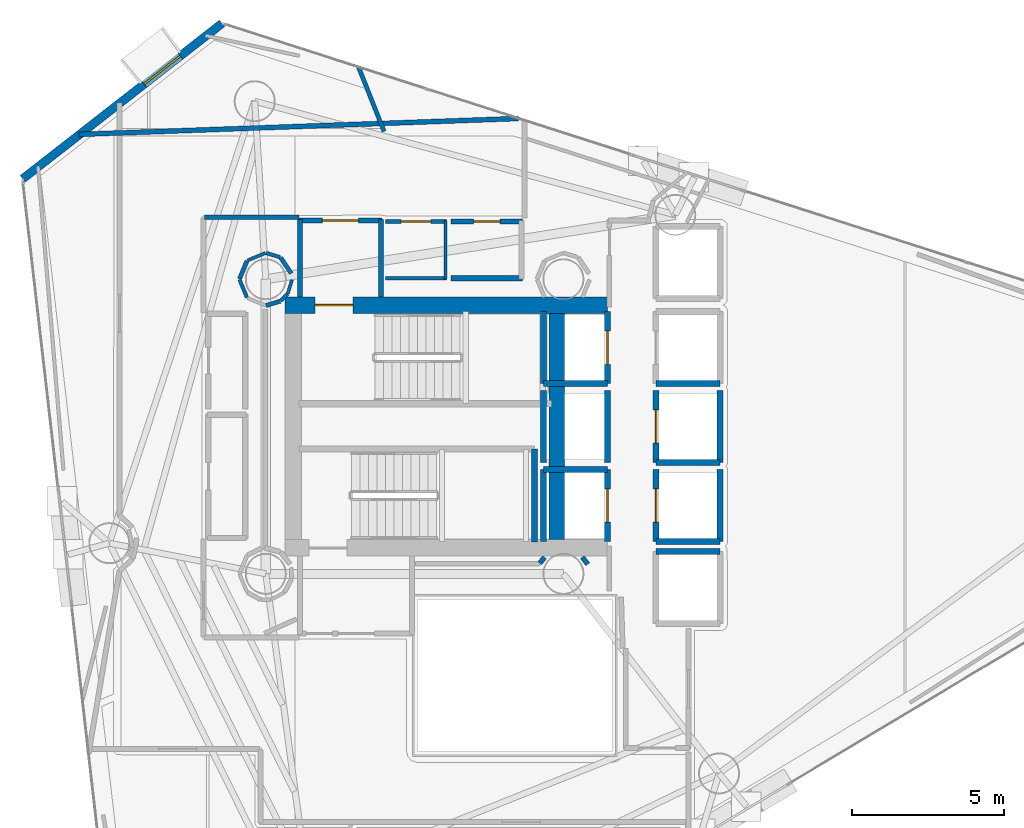
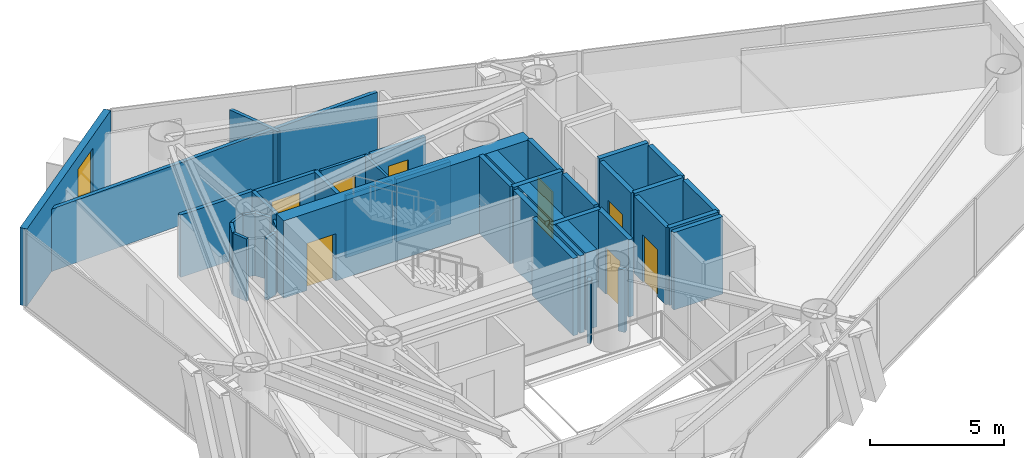
# One storey, part 19 of 22: 41 walls, 8 doors, 1 window, 9 openings.
"""IFC4 building model written with IfcOpenShell, lengths in metres."""

from ifc_helpers import new_model, si_unit, direction, frame, frame_2d, origin, place, context, subcontext, project, spatial, rectangle, extrude, material, layer, layer_set, type_object, element, fill, save


model = new_model("IFC4")

# Units and contexts
model_context = context("Model", 3, precision=1e-05, world=origin(), true_north=direction((0.0, 1.0)))
body_context = subcontext(model_context, "Body", "Model", "MODEL_VIEW")
ifc_project = project(units=[si_unit("LENGTHUNIT", "METRE"), si_unit("AREAUNIT", "SQUARE_METRE"), si_unit("VOLUMEUNIT", "CUBIC_METRE"), si_unit("PLANEANGLEUNIT", "RADIAN"), si_unit("MASSUNIT", "GRAM", prefix="KILO")], contexts=[model_context])

# Site, building, storey
site_placement = place(None, origin())
site = spatial("IfcSite", under=ifc_project, at=site_placement, CompositionType="ELEMENT")
building_placement = place(site_placement, origin())
building = spatial("IfcBuilding", under=site, at=building_placement, Name="Qianvela Tower", CompositionType="ELEMENT")
storey_placement = place(building_placement, frame((0.0, 0.0, 173.5)))
storey = spatial("IfcBuildingStorey", under=building, at=storey_placement, Name="L44", CompositionType="ELEMENT", Elevation=173.5)

# Wall, opening, window
ifc_material_1 = material(Name="Terracotta Cladding on Concrete C40", Category="masonry")
ifc_layer_1 = layer(ifc_material_1, 0.280029296875)
ifc_layer_set_1 = layer_set([ifc_layer_1], Name="Terracotta Cladding on Concrete C40")
wall_type_1 = type_object("IfcWallType", Name="TERRACOTTA-WALL-280", PredefinedType="SOLIDWALL", material=ifc_layer_set_1)
wall_1_placement = place(storey_placement, frame((27.159423828125, 41.9755859375, 0.0), z_axis=(0.0, 0.0, 1.0), x_axis=(-0.788589036207, -0.614920589974, 0.0)))
wall_1 = element("IfcWall", 1, at=wall_1_placement, inside=storey, type_object=wall_type_1, Name="L44 Terracotta Chamfer Facet Wall 3", PredefinedType="SOLIDWALL", context=body_context, shape_type="SweptSolid", body=[
    extrude(rectangle(XDim=8.326416015625, YDim=0.280029296875, at=frame_2d((4.1630859375, 0.0))), origin(), (0.0, 0.0, 1.0), 3.52001953125),
])
opening_1_placement = place(wall_1_placement, frame((1.748046875, 0.0, 0.85009765625)))
opening_1 = element("IfcOpeningElement", 2, at=opening_1_placement, cuts=wall_1, Name="Opening W-02", PredefinedType="OPENING", context=body_context, shape_type="SweptSolid", body=[
    extrude(rectangle(XDim=1.5, YDim=2.10009765625, at=frame_2d((0.75, 1.050048828125))), frame((0.0, 0.14990234375, 0.0), z_axis=(0.0, -1.0, 0.0), x_axis=(1.0, 0.0, 0.0)), (0.0, 0.0, 1.0), 0.300048828125),
])
ifc_material_2 = material(Name="Thermally Broken Aluminium and Low-E Glass", Category="aluminium")
window_type = type_object("IfcWindowType", Name="WIN-TC-1500x2100", PartitioningType="DOUBLE_PANEL_VERTICAL", PredefinedType="WINDOW", material=ifc_material_2)
window_placement = place(opening_1_placement, origin())
window = element("IfcWindow", 3, at=window_placement, inside=storey, type_object=window_type, Name="L44 Chamfer Facet Window 3.1", OverallHeight=2.10009765625, OverallWidth=1.5, PartitioningType="SINGLE_PANEL", PredefinedType="WINDOW", context=body_context, shape_type="SweptSolid", body=[
    extrude(rectangle(XDim=1.5, YDim=2.10009765625, at=frame_2d((0.75, 1.050048828125))), frame((0.0, 0.030029296875, 0.0), z_axis=(0.0, -1.0, 0.0), x_axis=(1.0, 0.0, 0.0)), (0.0, 0.0, 1.0), 0.06005859375),
])
fill(opening_1, window)

# Wall, opening, door
ifc_material_3 = material(Name="Concrete C60", Category="concrete")
ifc_layer_2 = layer(ifc_material_3, 0.550048828125)
ifc_layer_set_2 = layer_set([ifc_layer_2], Name="Concrete C60")
wall_type_2 = type_object("IfcWallType", Name="WT-CORE-550", PredefinedType="SHEAR", material=ifc_layer_set_2)
wall_2_placement = place(storey_placement, frame((29.22998046875, 32.695068359375, 0.0), z_axis=(0.0, 0.0, 1.0), x_axis=(1.0, 0.0, 0.0)))
wall_2 = element("IfcWall", 4, at=wall_2_placement, inside=storey, type_object=wall_type_2, Name="L44 North Core Shear Wall", PredefinedType="SHEAR", context=body_context, shape_type="SweptSolid", body=[
    extrude(rectangle(XDim=10.6201171875, YDim=0.550048828125, at=frame_2d((5.31005859375, 0.0))), origin(), (0.0, 0.0, 1.0), 3.52001953125),
])
opening_2_placement = place(wall_2_placement, frame((0.9951171875, 0.0, 0.0)))
opening_2 = element("IfcOpeningElement", 5, at=opening_2_placement, cuts=wall_2, Name="Opening D-ST1", PredefinedType="OPENING", context=body_context, shape_type="SweptSolid", body=[
    extrude(rectangle(XDim=1.25, YDim=2.14990234375, at=frame_2d((0.625, 1.074951171875))), frame((0.0, 0.284912109375, 0.0), z_axis=(0.0, -1.0, 0.0), x_axis=(1.0, 0.0, 0.0)), (0.0, 0.0, 1.0), 0.570068359375),
])
ifc_material_4 = material(Name="Galvanised Fire Steel Q355B", Category="steel")
door_type_1 = type_object("IfcDoorType", Name="DT-STAIR-FD90", OperationType="NOTDEFINED", PredefinedType="DOOR", material=ifc_material_4)
door_1_placement = place(opening_2_placement, origin())
door_1 = element("IfcDoor", 6, at=door_1_placement, inside=storey, type_object=door_type_1, Name="L44 Stair ST-1 Exit Door", OperationType="SINGLE_SWING_RIGHT", OverallHeight=2.14990234375, OverallWidth=1.25, PredefinedType="DOOR", context=body_context, shape_type="SweptSolid", body=[
    extrude(rectangle(XDim=1.25, YDim=2.14990234375, at=frame_2d((0.625, 1.074951171875))), frame((0.0, 0.02490234375, 0.0), z_axis=(0.0, -1.0, 0.0), x_axis=(1.0, 0.0, 0.0)), (0.0, 0.0, 1.0), 0.050048828125),
])
fill(opening_2, door_1)

# Walls
wall_3_placement = place(storey_placement, frame((38.179931640625, 24.97998046875, 0.0), z_axis=(0.0, 0.0, 1.0), x_axis=(0.0, 1.0, 0.0)))
element("IfcWall", 7, at=wall_3_placement, inside=storey, type_object=wall_type_2, Name="L44 East Spine Core Shear Wall", PredefinedType="SHEAR", context=body_context, shape_type="SweptSolid", body=[
    extrude(rectangle(XDim=7.43994140625, YDim=0.5, at=frame_2d((3.719970703125, 0.0))), origin(), (0.0, 0.0, 1.0), 3.52001953125),
])
ifc_material_5 = material(Name="Fire-Rated Gypsum and Concrete Block", Category="concrete")
ifc_layer_3 = layer(ifc_material_5, 0.159912109375)
ifc_layer_set_3 = layer_set([ifc_layer_3], Name="Fire-Rated Gypsum and Concrete Block")
wall_type_3 = type_object("IfcWallType", Name="WT-CORR-160", PredefinedType="PARTITIONING", material=ifc_layer_set_3)
wall_4_placement = place(storey_placement, frame((29.73095703125, 32.9580078125, 0.0), z_axis=(0.0, 0.0, 1.0), x_axis=(0.0, 1.0, 0.0)))
element("IfcWall", 8, at=wall_4_placement, inside=storey, type_object=wall_type_3, Name="L44 Partition 2", PredefinedType="PARTITIONING", context=body_context, shape_type="SweptSolid", body=[
    extrude(rectangle(XDim=2.56201171875, YDim=0.159912109375, at=frame_2d((1.281005859375, 0.0))), origin(), (0.0, 0.0, 1.0), 2.840087890625),
])

# Wall, opening, door
wall_5_placement = place(storey_placement, frame((29.699951171875, 35.489013671875, 0.0), z_axis=(0.0, 0.0, 1.0), x_axis=(1.0, 0.0, 0.0)))
wall_5 = element("IfcWall", 9, at=wall_5_placement, inside=storey, type_object=wall_type_3, Name="L44 Partition 3", PredefinedType="PARTITIONING", context=body_context, shape_type="SweptSolid", body=[
    extrude(rectangle(XDim=2.719970703125, YDim=0.159912109375, at=frame_2d((1.35986328125, 0.0))), origin(), (0.0, 0.0, 1.0), 2.840087890625),
])
opening_3_placement = place(wall_5_placement, frame((0.760009765625, 0.0, 0.0)))
opening_3 = element("IfcOpeningElement", 10, at=opening_3_placement, cuts=wall_5, Name="Opening D-LB1", PredefinedType="OPENING", context=body_context, shape_type="SweptSolid", body=[
    extrude(rectangle(XDim=1.199951171875, YDim=2.14990234375, at=frame_2d((0.60009765625, 1.074951171875))), frame((0.0, 0.08984375, 0.0), z_axis=(0.0, -1.0, 0.0), x_axis=(1.0, 0.0, 0.0)), (0.0, 0.0, 1.0), 0.179931640625),
])
ifc_material_6 = material(Name="Glazed Fire-Rated Steel Frame", Category="steel")
door_type_2 = type_object("IfcDoorType", Name="DT-LOBBY-FD90", OperationType="NOTDEFINED", PredefinedType="DOOR", material=ifc_material_6)
door_2_placement = place(opening_3_placement, origin())
door_2 = element("IfcDoor", 11, at=door_2_placement, inside=storey, type_object=door_type_2, Name="L44 Door L44 Firefighting Lobby North to L44 Floor Corridor", OperationType="SINGLE_SWING_RIGHT", OverallHeight=2.14990234375, OverallWidth=1.199951171875, PredefinedType="DOOR", context=body_context, shape_type="SweptSolid", body=[
    extrude(rectangle(XDim=1.199951171875, YDim=2.14990234375, at=frame_2d((0.60009765625, 1.074951171875))), frame((0.0, 0.02490234375, 0.0), z_axis=(0.0, -1.0, 0.0), x_axis=(1.0, 0.0, 0.0)), (0.0, 0.0, 1.0), 0.050048828125),
])
fill(opening_3, door_2)

# Walls
wall_6_placement = place(storey_placement, frame((32.388916015625, 35.52001953125, 0.0), z_axis=(0.0, 0.0, 1.0), x_axis=(0.0, -1.0, 0.0)))
element("IfcWall", 12, at=wall_6_placement, inside=storey, type_object=wall_type_3, Name="L44 Partition 4", PredefinedType="PARTITIONING", context=body_context, shape_type="SweptSolid", body=[
    extrude(rectangle(XDim=2.56201171875, YDim=0.159912109375, at=frame_2d((1.281005859375, 0.0))), origin(), (0.0, 0.0, 1.0), 2.840087890625),
])
wall_7_placement = place(storey_placement, frame((39.20166015625, 24.169189453125, 0.0), z_axis=(0.0, 0.0, 1.0), x_axis=(-0.621699046284, 0.783256213413, 0.0)))
element("IfcWall", 13, at=wall_7_placement, inside=storey, type_object=wall_type_3, Name="L44 Partition 47", PredefinedType="PARTITIONING", context=body_context, shape_type="SweptSolid", body=[
    extrude(rectangle(XDim=0.28857421875, YDim=0.159912109375, at=frame_2d((0.144287109375, 0.0))), origin(), (0.0, 0.0, 1.0), 2.840087890625),
])
wall_8_placement = place(storey_placement, frame((37.77783203125, 24.395263671875, 0.0), z_axis=(0.0, 0.0, 1.0), x_axis=(-0.621829236437, -0.783152859097, 0.0)))
element("IfcWall", 14, at=wall_8_placement, inside=storey, type_object=wall_type_3, Name="L44 Partition 50", PredefinedType="PARTITIONING", context=body_context, shape_type="SweptSolid", body=[
    extrude(rectangle(XDim=0.249755859375, YDim=0.159912109375, at=frame_2d((0.125, 0.0))), origin(), (0.0, 0.0, 1.0), 2.840087890625),
])
wall_9_placement = place(storey_placement, frame((22.449951171875, 38.319091796875, 0.0), z_axis=(0.0, 0.0, 1.0), x_axis=(0.999347255434, 0.036125656496, 0.0)))
element("IfcWall", 15, at=wall_9_placement, inside=storey, type_object=wall_type_3, Name="L44 Partition 54", PredefinedType="PARTITIONING", context=body_context, shape_type="SweptSolid", body=[
    extrude(rectangle(XDim=14.482666015625, YDim=0.159912109375, at=frame_2d((7.2412109375, 0.0))), origin(), (0.0, 0.0, 1.0), 2.840087890625),
])
wall_10_placement = place(storey_placement, frame((29.699951171875, 35.591064453125, 0.0), z_axis=(0.0, 0.0, 1.0), x_axis=(-1.0, 0.0, 0.0)))
element("IfcWall", 16, at=wall_10_placement, inside=storey, type_object=wall_type_3, Name="L44 Partition 56 seg 4", PredefinedType="PARTITIONING", context=body_context, shape_type="SweptSolid", body=[
    extrude(rectangle(XDim=3.119873046875, YDim=0.159912109375, at=frame_2d((1.56005859375, 0.0))), origin(), (0.0, 0.0, 1.0), 2.840087890625),
])
ifc_material_7 = material(Name="Lightweight Gypsum Room Partition")
ifc_layer_4 = layer(ifc_material_7, 0.10498046875)
ifc_layer_set_4 = layer_set([ifc_layer_4], Name="Lightweight Gypsum Room Partition")
wall_type_4 = type_object("IfcWallType", Name="WT-PART-105", PredefinedType="PARTITIONING", material=ifc_layer_set_4)
wall_11_placement = place(storey_placement, frame((34.550048828125, 33.5810546875, 0.0), z_axis=(0.0, 0.0, 1.0), x_axis=(-1.0, 0.0, 0.0)))
element("IfcWall", 17, at=wall_11_placement, inside=storey, type_object=wall_type_4, Name="L44 Partition 20", PredefinedType="PARTITIONING", context=body_context, shape_type="SweptSolid", body=[
    extrude(rectangle(XDim=2.0, YDim=0.10498046875, at=frame_2d((1.0, 0.0))), origin(), (0.0, 0.0, 1.0), 2.840087890625),
])
wall_12_placement = place(storey_placement, frame((34.51904296875, 35.47998046875, 0.0), z_axis=(0.0, 0.0, 1.0), x_axis=(0.0, -1.0, 0.0)))
element("IfcWall", 18, at=wall_12_placement, inside=storey, type_object=wall_type_4, Name="L44 Partition 23", PredefinedType="PARTITIONING", context=body_context, shape_type="SweptSolid", body=[
    extrude(rectangle(XDim=1.929931640625, YDim=0.10498046875, at=frame_2d((0.96484375, 0.0))), origin(), (0.0, 0.0, 1.0), 2.840087890625),
])
wall_13_placement = place(storey_placement, frame((28.588134765625, 34.41357421875, 0.0), z_axis=(0.0, 0.0, 1.0), x_axis=(-0.923956302996, -0.382498039412, 0.0)))
element("IfcWall", 19, at=wall_13_placement, inside=storey, type_object=wall_type_4, Name="L44 Partition 140", PredefinedType="PARTITIONING", context=body_context, shape_type="SweptSolid", body=[
    extrude(rectangle(XDim=0.638916015625, YDim=0.10498046875, at=frame_2d((0.3193359375, 0.0))), origin(), (0.0, 0.0, 1.0), 2.840087890625),
])
wall_14_placement = place(storey_placement, frame((29.323974609375, 33.076904296875, 0.0), z_axis=(0.0, 0.0, 1.0), x_axis=(0.292866596221, 0.956153312402, 0.0)))
element("IfcWall", 20, at=wall_14_placement, inside=storey, type_object=wall_type_4, Name="L44 Partition 146", PredefinedType="PARTITIONING", context=body_context, shape_type="SweptSolid", body=[
    extrude(rectangle(XDim=0.478515625, YDim=0.10498046875, at=frame_2d((0.2392578125, 0.0))), origin(), (0.0, 0.0, 1.0), 2.840087890625),
])

# Wall, opening, door
ifc_material_8 = material(Name="Insulated Gypsum Stud Partition")
ifc_layer_5 = layer(ifc_material_8, 0.1201171875)
ifc_layer_set_5 = layer_set([ifc_layer_5], Name="Insulated Gypsum Stud Partition")
wall_type_5 = type_object("IfcWallType", Name="WT-PART-120", PredefinedType="PARTITIONING", material=ifc_layer_set_5)
wall_15_placement = place(storey_placement, frame((32.550048828125, 35.448974609375, 0.0), z_axis=(0.0, 0.0, 1.0), x_axis=(1.0, 0.0, 0.0)))
wall_15 = element("IfcWall", 21, at=wall_15_placement, inside=storey, type_object=wall_type_5, Name="L44 Partition 22", PredefinedType="PARTITIONING", context=body_context, shape_type="SweptSolid", body=[
    extrude(rectangle(XDim=2.0, YDim=0.1201171875, at=frame_2d((1.0, 0.0))), origin(), (0.0, 0.0, 1.0), 2.840087890625),
])
opening_4_placement = place(wall_15_placement, frame((0.510009765625, 0.0, 0.0)))
opening_4 = element("IfcOpeningElement", 22, at=opening_4_placement, cuts=wall_15, Name="Opening D-RM1", PredefinedType="OPENING", context=body_context, shape_type="SweptSolid", body=[
    extrude(rectangle(XDim=0.97998046875, YDim=2.10009765625, at=frame_2d((0.489990234375, 1.050048828125))), frame((0.0, 0.070068359375, 0.0), z_axis=(0.0, -1.0, 0.0), x_axis=(1.0, 0.0, 0.0)), (0.0, 0.0, 1.0), 0.14013671875),
])
ifc_material_9 = material(Name="Solid Core Acoustic Timber Fire Door", Category="wood")
door_type_3 = type_object("IfcDoorType", Name="DT-ROOM-FD60", OperationType="NOTDEFINED", PredefinedType="DOOR", material=ifc_material_9)
door_3_placement = place(opening_4_placement, origin())
door_3 = element("IfcDoor", 23, at=door_3_placement, inside=storey, type_object=door_type_3, Name="L44 Door L44 Cleaner Store to L44 Floor Corridor", OperationType="SINGLE_SWING_LEFT", OverallHeight=2.10009765625, OverallWidth=0.97998046875, PredefinedType="DOOR", context=body_context, shape_type="SweptSolid", body=[
    extrude(rectangle(XDim=0.97998046875, YDim=2.10009765625, at=frame_2d((0.489990234375, 1.050048828125))), frame((0.0, 0.02490234375, 0.0), z_axis=(0.0, -1.0, 0.0), x_axis=(1.0, 0.0, 0.0)), (0.0, 0.0, 1.0), 0.050048828125),
])
fill(opening_4, door_3)

# Walls
wall_16_placement = place(storey_placement, frame((29.072998046875, 34.27392578125, 0.0), z_axis=(0.0, 0.0, 1.0), x_axis=(-0.956893067978, 0.290440452511, 0.0)))
element("IfcWall", 24, at=wall_16_placement, inside=storey, type_object=wall_type_5, Name="L44 Partition 139", PredefinedType="PARTITIONING", context=body_context, shape_type="SweptSolid", body=[
    extrude(rectangle(XDim=0.485107421875, YDim=0.1201171875, at=frame_2d((0.24267578125, 0.0))), origin(), (0.0, 0.0, 1.0), 2.840087890625),
])
wall_17_placement = place(storey_placement, frame((27.736328125, 33.5380859375, 0.0), z_axis=(0.0, 0.0, 1.0), x_axis=(0.382824178437, -0.923821221018, 0.0)))
element("IfcWall", 25, at=wall_17_placement, inside=storey, type_object=wall_type_5, Name="L44 Partition 142", PredefinedType="PARTITIONING", context=body_context, shape_type="SweptSolid", body=[
    extrude(rectangle(XDim=0.638916015625, YDim=0.1201171875, at=frame_2d((0.3193359375, 0.0))), origin(), (0.0, 0.0, 1.0), 2.840087890625),
])
wall_18_placement = place(storey_placement, frame((29.085693359375, 32.833740234375, 0.0), z_axis=(0.0, 0.0, 1.0), x_axis=(0.707106781187, 0.707106781187, 0.0)))
element("IfcWall", 26, at=wall_18_placement, inside=storey, type_object=wall_type_5, Name="L44 Partition 145", PredefinedType="PARTITIONING", context=body_context, shape_type="SweptSolid", body=[
    extrude(rectangle(XDim=0.325927734375, YDim=0.1201171875, at=frame_2d((0.1630859375, 0.0))), origin(), (0.0, 0.0, 1.0), 2.840087890625),
])
ifc_material_10 = material(Name="Moisture-Resistant Acoustic Plumbing Wall")
ifc_layer_6 = layer(ifc_material_10, 0.175048828125)
ifc_layer_set_6 = layer_set([ifc_layer_6], Name="Moisture-Resistant Acoustic Plumbing Wall")
wall_type_6 = type_object("IfcWallType", Name="WT-PLUMB-175", PredefinedType="PLUMBINGWALL", material=ifc_layer_set_6)
wall_19_placement = place(storey_placement, frame((37.050048828125, 33.5810546875, 0.0), z_axis=(0.0, 0.0, 1.0), x_axis=(-1.0, 0.0, 0.0)))
element("IfcWall", 27, at=wall_19_placement, inside=storey, type_object=wall_type_6, Name="L44 Partition 24", PredefinedType="PLUMBINGWALL", context=body_context, shape_type="SweptSolid", body=[
    extrude(rectangle(XDim=2.35009765625, YDim=0.175048828125, at=frame_2d((1.175048828125, 0.0))), origin(), (0.0, 0.0, 1.0), 2.840087890625),
])

# Wall, opening, door
wall_20_placement = place(storey_placement, frame((34.699951171875, 35.448974609375, 0.0), z_axis=(0.0, 0.0, 1.0), x_axis=(1.0, 0.0, 0.0)))
wall_20 = element("IfcWall", 28, at=wall_20_placement, inside=storey, type_object=wall_type_6, Name="L44 Partition 26", PredefinedType="PLUMBINGWALL", context=body_context, shape_type="SweptSolid", body=[
    extrude(rectangle(XDim=2.35009765625, YDim=0.175048828125, at=frame_2d((1.175048828125, 0.0))), origin(), (0.0, 0.0, 1.0), 2.840087890625),
])
opening_5_placement = place(wall_20_placement, frame((0.7451171875, 0.0, 0.0)))
opening_5 = element("IfcOpeningElement", 29, at=opening_5_placement, cuts=wall_20, Name="Opening D-WC1", PredefinedType="OPENING", context=body_context, shape_type="SweptSolid", body=[
    extrude(rectangle(XDim=0.860107421875, YDim=2.050048828125, at=frame_2d((0.43017578125, 1.02490234375))), frame((0.0, 0.097412109375, 0.0), z_axis=(0.0, -1.0, 0.0), x_axis=(1.0, 0.0, 0.0)), (0.0, 0.0, 1.0), 0.195068359375),
])
ifc_material_11 = material(Name="Moisture-Sealed Acoustic Timber Door", Category="wood")
door_type_4 = type_object("IfcDoorType", Name="DT-WC-860", OperationType="NOTDEFINED", PredefinedType="DOOR", material=ifc_material_11)
door_4_placement = place(opening_5_placement, origin())
door_4 = element("IfcDoor", 30, at=door_4_placement, inside=storey, type_object=door_type_4, Name="L44 Door L44 Accessible WC to L44 Floor Corridor", OperationType="SINGLE_SWING_RIGHT", OverallHeight=2.050048828125, OverallWidth=0.860107421875, PredefinedType="DOOR", context=body_context, shape_type="SweptSolid", body=[
    extrude(rectangle(XDim=0.860107421875, YDim=2.050048828125, at=frame_2d((0.43017578125, 1.02490234375))), frame((0.0, 0.02490234375, 0.0), z_axis=(0.0, -1.0, 0.0), x_axis=(1.0, 0.0, 0.0)), (0.0, 0.0, 1.0), 0.050048828125),
])
fill(opening_5, door_4)

# Walls
ifc_material_12 = material(Name="Acoustic Double Gypsum Stud Partition")
ifc_layer_7 = layer(ifc_material_12, 0.139892578125)
ifc_layer_set_7 = layer_set([ifc_layer_7], Name="Acoustic Double Gypsum Stud Partition")
wall_type_7 = type_object("IfcWallType", Name="WT-ROOM-140", PredefinedType="PARTITIONING", material=ifc_layer_set_7)
wall_21_placement = place(storey_placement, frame((31.64892578125, 40.551025390625, 0.0), z_axis=(0.0, 0.0, 1.0), x_axis=(0.36876524787, -0.929522561299, 0.0)))
element("IfcWall", 31, at=wall_21_placement, inside=storey, type_object=wall_type_7, Name="L44 Partition 108", PredefinedType="PARTITIONING", context=body_context, shape_type="SweptSolid", body=[
    extrude(rectangle(XDim=2.2939453125, YDim=0.139892578125, at=frame_2d((1.14697265625, 0.0))), origin(), (0.0, 0.0, 1.0), 2.840087890625),
])
wall_22_placement = place(storey_placement, frame((29.44140625, 33.74072265625, 0.0), z_axis=(0.0, 0.0, 1.0), x_axis=(-0.559619584068, 0.828749613048, 0.0)))
element("IfcWall", 32, at=wall_22_placement, inside=storey, type_object=wall_type_7, Name="L44 Partition 138", PredefinedType="PARTITIONING", context=body_context, shape_type="SweptSolid", body=[
    extrude(rectangle(XDim=0.628662109375, YDim=0.139892578125, at=frame_2d((0.314453125, 0.0))), origin(), (0.0, 0.0, 1.0), 2.840087890625),
])
wall_23_placement = place(storey_placement, frame((27.98095703125, 34.15234375, 0.0), z_axis=(0.0, 0.0, 1.0), x_axis=(-0.382824178437, -0.923821221018, 0.0)))
element("IfcWall", 33, at=wall_23_placement, inside=storey, type_object=wall_type_7, Name="L44 Partition 141", PredefinedType="PARTITIONING", context=body_context, shape_type="SweptSolid", body=[
    extrude(rectangle(XDim=0.638916015625, YDim=0.139892578125, at=frame_2d((0.3193359375, 0.0))), origin(), (0.0, 0.0, 1.0), 2.840087890625),
])
wall_24_placement = place(storey_placement, frame((28.60888671875, 32.685302734375, 0.0), z_axis=(0.0, 0.0, 1.0), x_axis=(0.956893067978, 0.290440452511, 0.0)))
element("IfcWall", 34, at=wall_24_placement, inside=storey, type_object=wall_type_7, Name="L44 Partition 144", PredefinedType="PARTITIONING", context=body_context, shape_type="SweptSolid", body=[
    extrude(rectangle(XDim=0.485107421875, YDim=0.139892578125, at=frame_2d((0.24267578125, 0.0))), origin(), (0.0, 0.0, 1.0), 2.840087890625),
])
ifc_material_13 = material(Name="Concrete C50", Category="concrete")
ifc_layer_8 = layer(ifc_material_13, 0.199951171875)
ifc_layer_set_8 = layer_set([ifc_layer_8], Name="Concrete C50")
wall_type_8 = type_object("IfcWallType", Name="WT-SHAFT-200", PredefinedType="SOLIDWALL", material=ifc_layer_set_8)
wall_25_placement = place(storey_placement, frame((37.449951171875, 24.89990234375, 0.0), z_axis=(0.0, 0.0, 1.0), x_axis=(0.0, 1.0, 0.0)))
element("IfcWall", 35, at=wall_25_placement, inside=storey, type_object=wall_type_8, Name="L44 Stair ST-2 East Wall", PredefinedType="SOLIDWALL", context=body_context, shape_type="SweptSolid", body=[
    extrude(rectangle(XDim=3.06005859375, YDim=0.199951171875, at=frame_2d((1.530029296875, 0.0))), origin(), (0.0, 0.0, 1.0), 3.52001953125),
])

# Wall, opening, door
wall_26_placement = place(storey_placement, frame((39.85009765625, 30.1201171875, 0.0), z_axis=(0.0, 0.0, 1.0), x_axis=(0.0, 1.0, 0.0)))
wall_26 = element("IfcWall", 36, at=wall_26_placement, inside=storey, type_object=wall_type_8, Name="L44 Lift FL-1 E Shaft Wall", PredefinedType="SOLIDWALL", context=body_context, shape_type="SweptSolid", body=[
    extrude(rectangle(XDim=2.35986328125, YDim=0.199951171875, at=frame_2d((1.179931640625, 0.0))), origin(), (0.0, 0.0, 1.0), 3.52001953125),
])
opening_6_placement = place(wall_26_placement, frame((0.6298828125, 0.0, 0.0)))
opening_6 = element("IfcOpeningElement", 37, at=opening_6_placement, cuts=wall_26, Name="Opening LD-01", PredefinedType="OPENING", context=body_context, shape_type="SweptSolid", body=[
    extrude(rectangle(XDim=1.10009765625, YDim=2.14990234375, at=frame_2d((0.550048828125, 1.074951171875))), frame((0.0, 0.10986328125, 0.0), z_axis=(0.0, -1.0, 0.0), x_axis=(1.0, 0.0, 0.0)), (0.0, 0.0, 1.0), 0.219970703125),
])
ifc_material_14 = material(Name="Brushed Stainless Steel Lift Landing Door", Category="steel")
door_type_5 = type_object("IfcDoorType", Name="DT-LIFT-SLIDE-1100", OperationType="SLIDING_TO_LEFT", PredefinedType="DOOR", material=ifc_material_14)
door_5_placement = place(opening_6_placement, origin())
door_5 = element("IfcDoor", 38, at=door_5_placement, inside=storey, type_object=door_type_5, Name="L44 Lift FL-1 Sliding Landing Door", OperationType="SLIDING_TO_LEFT", OverallHeight=2.14990234375, OverallWidth=1.10009765625, PredefinedType="DOOR", context=body_context, shape_type="SweptSolid", body=[
    extrude(rectangle(XDim=1.10009765625, YDim=2.14990234375, at=frame_2d((0.550048828125, 1.074951171875))), frame((0.0, 0.02490234375, 0.0), z_axis=(0.0, -1.0, 0.0), x_axis=(1.0, 0.0, 0.0)), (0.0, 0.0, 1.0), 0.050048828125),
])
fill(opening_6, door_5)

# Walls
wall_27_placement = place(storey_placement, frame((37.75, 30.1201171875, 0.0), z_axis=(0.0, 0.0, 1.0), x_axis=(0.0, 1.0, 0.0)))
element("IfcWall", 39, at=wall_27_placement, inside=storey, type_object=wall_type_8, Name="L44 Lift FL-1 W Shaft Wall", PredefinedType="SOLIDWALL", context=body_context, shape_type="SweptSolid", body=[
    extrude(rectangle(XDim=2.35986328125, YDim=0.199951171875, at=frame_2d((1.179931640625, 0.0))), origin(), (0.0, 0.0, 1.0), 3.52001953125),
])
wall_28_placement = place(storey_placement, frame((37.75, 30.1201171875, 0.0), z_axis=(0.0, 0.0, 1.0), x_axis=(1.0, 0.0, 0.0)))
element("IfcWall", 40, at=wall_28_placement, inside=storey, type_object=wall_type_8, Name="L44 Lift FL-1 S Shaft Wall", PredefinedType="SOLIDWALL", context=body_context, shape_type="SweptSolid", body=[
    extrude(rectangle(XDim=2.10009765625, YDim=0.199951171875, at=frame_2d((1.050048828125, 0.0))), origin(), (0.0, 0.0, 1.0), 3.52001953125),
])

# Wall, opening, door
wall_29_placement = place(storey_placement, frame((39.85009765625, 24.919921875, 0.0), z_axis=(0.0, 0.0, 1.0), x_axis=(0.0, 1.0, 0.0)))
wall_29 = element("IfcWall", 41, at=wall_29_placement, inside=storey, type_object=wall_type_8, Name="L44 Lift FL-2 E Shaft Wall", PredefinedType="SOLIDWALL", context=body_context, shape_type="SweptSolid", body=[
    extrude(rectangle(XDim=2.360107421875, YDim=0.199951171875, at=frame_2d((1.18017578125, 0.0))), origin(), (0.0, 0.0, 1.0), 3.52001953125),
])
opening_7_placement = place(wall_29_placement, frame((0.6298828125, 0.0, 0.0)))
opening_7 = element("IfcOpeningElement", 42, at=opening_7_placement, cuts=wall_29, Name="Opening LD-01", PredefinedType="OPENING", context=body_context, shape_type="SweptSolid", body=[
    extrude(rectangle(XDim=1.10009765625, YDim=2.14990234375, at=frame_2d((0.550048828125, 1.074951171875))), frame((0.0, 0.10986328125, 0.0), z_axis=(0.0, -1.0, 0.0), x_axis=(1.0, 0.0, 0.0)), (0.0, 0.0, 1.0), 0.219970703125),
])
door_6_placement = place(opening_7_placement, origin())
door_6 = element("IfcDoor", 43, at=door_6_placement, inside=storey, type_object=door_type_5, Name="L44 Lift FL-2 Sliding Landing Door", OperationType="SLIDING_TO_LEFT", OverallHeight=2.14990234375, OverallWidth=1.10009765625, PredefinedType="DOOR", context=body_context, shape_type="SweptSolid", body=[
    extrude(rectangle(XDim=1.10009765625, YDim=2.14990234375, at=frame_2d((0.550048828125, 1.074951171875))), frame((0.0, 0.02490234375, 0.0), z_axis=(0.0, -1.0, 0.0), x_axis=(1.0, 0.0, 0.0)), (0.0, 0.0, 1.0), 0.050048828125),
])
fill(opening_7, door_6)

# Walls
wall_30_placement = place(storey_placement, frame((37.75, 24.919921875, 0.0), z_axis=(0.0, 0.0, 1.0), x_axis=(0.0, 1.0, 0.0)))
element("IfcWall", 44, at=wall_30_placement, inside=storey, type_object=wall_type_8, Name="L44 Lift FL-2 W Shaft Wall", PredefinedType="SOLIDWALL", context=body_context, shape_type="SweptSolid", body=[
    extrude(rectangle(XDim=2.360107421875, YDim=0.199951171875, at=frame_2d((1.18017578125, 0.0))), origin(), (0.0, 0.0, 1.0), 3.52001953125),
])
for number, where, z_axis, x_axis, name in (
    (45, (37.75, 27.280029296875, 0.0), (0.0, 0.0, 1.0), (1.0, 0.0, 0.0), "L44 Lift FL-2 N Shaft Wall"),
    (46, (41.449951171875, 30.1201171875, 0.0), (0.0, 0.0, 1.0), (1.0, 0.0, 0.0), "L44 Lift PL-M1 S Shaft Wall"),
):
    element("IfcWall", number, at=place(storey_placement, frame(where, z_axis=z_axis, x_axis=x_axis)), inside=storey, type_object=wall_type_8, Name=name, PredefinedType="SOLIDWALL", context=body_context, shape_type="SweptSolid", body=[
        extrude(rectangle(XDim=2.10009765625, YDim=0.199951171875, at=frame_2d((1.050048828125, 0.0))), origin(), (0.0, 0.0, 1.0), 3.52001953125),
    ])
wall_31_placement = place(storey_placement, frame((43.550048828125, 27.52001953125, 0.0), z_axis=(0.0, 0.0, 1.0), x_axis=(0.0, 1.0, 0.0)))
element("IfcWall", 47, at=wall_31_placement, inside=storey, type_object=wall_type_8, Name="L44 Lift PL-M2 E Shaft Wall", PredefinedType="SOLIDWALL", context=body_context, shape_type="SweptSolid", body=[
    extrude(rectangle(XDim=2.35986328125, YDim=0.199951171875, at=frame_2d((1.179931640625, 0.0))), origin(), (0.0, 0.0, 1.0), 3.52001953125),
])

# Wall, opening, door
wall_32_placement = place(storey_placement, frame((41.449951171875, 27.52001953125, 0.0), z_axis=(0.0, 0.0, 1.0), x_axis=(0.0, 1.0, 0.0)))
wall_32 = element("IfcWall", 48, at=wall_32_placement, inside=storey, type_object=wall_type_8, Name="L44 Lift PL-M2 W Shaft Wall", PredefinedType="SOLIDWALL", context=body_context, shape_type="SweptSolid", body=[
    extrude(rectangle(XDim=2.35986328125, YDim=0.199951171875, at=frame_2d((1.179931640625, 0.0))), origin(), (0.0, 0.0, 1.0), 3.52001953125),
])
opening_8_placement = place(wall_32_placement, frame((0.6298828125, 0.0, 0.0)))
opening_8 = element("IfcOpeningElement", 49, at=opening_8_placement, cuts=wall_32, Name="Opening LD-01", PredefinedType="OPENING", context=body_context, shape_type="SweptSolid", body=[
    extrude(rectangle(XDim=1.10009765625, YDim=2.14990234375, at=frame_2d((0.550048828125, 1.074951171875))), frame((0.0, 0.10986328125, 0.0), z_axis=(0.0, -1.0, 0.0), x_axis=(1.0, 0.0, 0.0)), (0.0, 0.0, 1.0), 0.219970703125),
])
door_7_placement = place(opening_8_placement, origin())
door_7 = element("IfcDoor", 50, at=door_7_placement, inside=storey, type_object=door_type_5, Name="L44 Lift PL-M2 Sliding Landing Door", OperationType="SLIDING_TO_LEFT", OverallHeight=2.14990234375, OverallWidth=1.10009765625, PredefinedType="DOOR", context=body_context, shape_type="SweptSolid", body=[
    extrude(rectangle(XDim=1.10009765625, YDim=2.14990234375, at=frame_2d((0.550048828125, 1.074951171875))), frame((0.0, 0.02490234375, 0.0), z_axis=(0.0, -1.0, 0.0), x_axis=(1.0, 0.0, 0.0)), (0.0, 0.0, 1.0), 0.050048828125),
])
fill(opening_8, door_7)

# Walls
wall_33_placement = place(storey_placement, frame((41.449951171875, 27.52001953125, 0.0), z_axis=(0.0, 0.0, 1.0), x_axis=(1.0, 0.0, 0.0)))
element("IfcWall", 51, at=wall_33_placement, inside=storey, type_object=wall_type_8, Name="L44 Lift PL-M2 S Shaft Wall", PredefinedType="SOLIDWALL", context=body_context, shape_type="SweptSolid", body=[
    extrude(rectangle(XDim=2.10009765625, YDim=0.199951171875, at=frame_2d((1.050048828125, 0.0))), origin(), (0.0, 0.0, 1.0), 3.52001953125),
])
wall_34_placement = place(storey_placement, frame((43.550048828125, 24.919921875, 0.0), z_axis=(0.0, 0.0, 1.0), x_axis=(0.0, 1.0, 0.0)))
element("IfcWall", 52, at=wall_34_placement, inside=storey, type_object=wall_type_8, Name="L44 Lift PL-M3 E Shaft Wall", PredefinedType="SOLIDWALL", context=body_context, shape_type="SweptSolid", body=[
    extrude(rectangle(XDim=2.360107421875, YDim=0.199951171875, at=frame_2d((1.18017578125, 0.0))), origin(), (0.0, 0.0, 1.0), 3.52001953125),
])

# Wall, opening, door
wall_35_placement = place(storey_placement, frame((41.449951171875, 24.919921875, 0.0), z_axis=(0.0, 0.0, 1.0), x_axis=(0.0, 1.0, 0.0)))
wall_35 = element("IfcWall", 53, at=wall_35_placement, inside=storey, type_object=wall_type_8, Name="L44 Lift PL-M3 W Shaft Wall", PredefinedType="SOLIDWALL", context=body_context, shape_type="SweptSolid", body=[
    extrude(rectangle(XDim=2.360107421875, YDim=0.199951171875, at=frame_2d((1.18017578125, 0.0))), origin(), (0.0, 0.0, 1.0), 3.52001953125),
])
opening_9_placement = place(wall_35_placement, frame((0.6298828125, 0.0, 0.0)))
opening_9 = element("IfcOpeningElement", 54, at=opening_9_placement, cuts=wall_35, Name="Opening LD-01", PredefinedType="OPENING", context=body_context, shape_type="SweptSolid", body=[
    extrude(rectangle(XDim=1.10009765625, YDim=2.14990234375, at=frame_2d((0.550048828125, 1.074951171875))), frame((0.0, 0.10986328125, 0.0), z_axis=(0.0, -1.0, 0.0), x_axis=(1.0, 0.0, 0.0)), (0.0, 0.0, 1.0), 0.219970703125),
])
door_8_placement = place(opening_9_placement, origin())
door_8 = element("IfcDoor", 55, at=door_8_placement, inside=storey, type_object=door_type_5, Name="L44 Lift PL-M3 Sliding Landing Door", OperationType="SLIDING_TO_LEFT", OverallHeight=2.14990234375, OverallWidth=1.10009765625, PredefinedType="DOOR", context=body_context, shape_type="SweptSolid", body=[
    extrude(rectangle(XDim=1.10009765625, YDim=2.14990234375, at=frame_2d((0.550048828125, 1.074951171875))), frame((0.0, 0.02490234375, 0.0), z_axis=(0.0, -1.0, 0.0), x_axis=(1.0, 0.0, 0.0)), (0.0, 0.0, 1.0), 0.050048828125),
])
fill(opening_9, door_8)

# Walls
wall_36_placement = place(storey_placement, frame((41.449951171875, 24.919921875, 0.0), z_axis=(0.0, 0.0, 1.0), x_axis=(1.0, 0.0, 0.0)))
element("IfcWall", 56, at=wall_36_placement, inside=storey, type_object=wall_type_8, Name="L44 Lift PL-M3 S Shaft Wall", PredefinedType="SOLIDWALL", context=body_context, shape_type="SweptSolid", body=[
    extrude(rectangle(XDim=2.10009765625, YDim=0.199951171875, at=frame_2d((1.050048828125, 0.0))), origin(), (0.0, 0.0, 1.0), 3.52001953125),
])
for number, where, z_axis, x_axis, name in (
    (57, (39.85009765625, 27.52001953125, 0.0), (0.0, 0.0, 1.0), (0.0, 1.0, 0.0), "L44 Lift PL-H1 E Shaft Wall"),
    (58, (37.75, 27.52001953125, 0.0), (0.0, 0.0, 1.0), (0.0, 1.0, 0.0), "L44 Lift PL-H1 W Shaft Wall"),
):
    element("IfcWall", number, at=place(storey_placement, frame(where, z_axis=z_axis, x_axis=x_axis)), inside=storey, type_object=wall_type_8, Name=name, PredefinedType="SOLIDWALL", context=body_context, shape_type="SweptSolid", body=[
        extrude(rectangle(XDim=2.35986328125, YDim=0.199951171875, at=frame_2d((1.179931640625, 0.0))), origin(), (0.0, 0.0, 1.0), 3.52001953125),
    ])
wall_37_placement = place(storey_placement, frame((41.449951171875, 24.580078125, 0.0), z_axis=(0.0, 0.0, 1.0), x_axis=(1.0, 0.0, 0.0)))
element("IfcWall", 59, at=wall_37_placement, inside=storey, type_object=wall_type_8, Name="L44 Lift PL-H2 N Shaft Wall", PredefinedType="SOLIDWALL", context=body_context, shape_type="SweptSolid", body=[
    extrude(rectangle(XDim=2.10009765625, YDim=0.199951171875, at=frame_2d((1.050048828125, 0.0))), origin(), (0.0, 0.0, 1.0), 3.52001953125),
])

save(model, "model.ifc")
